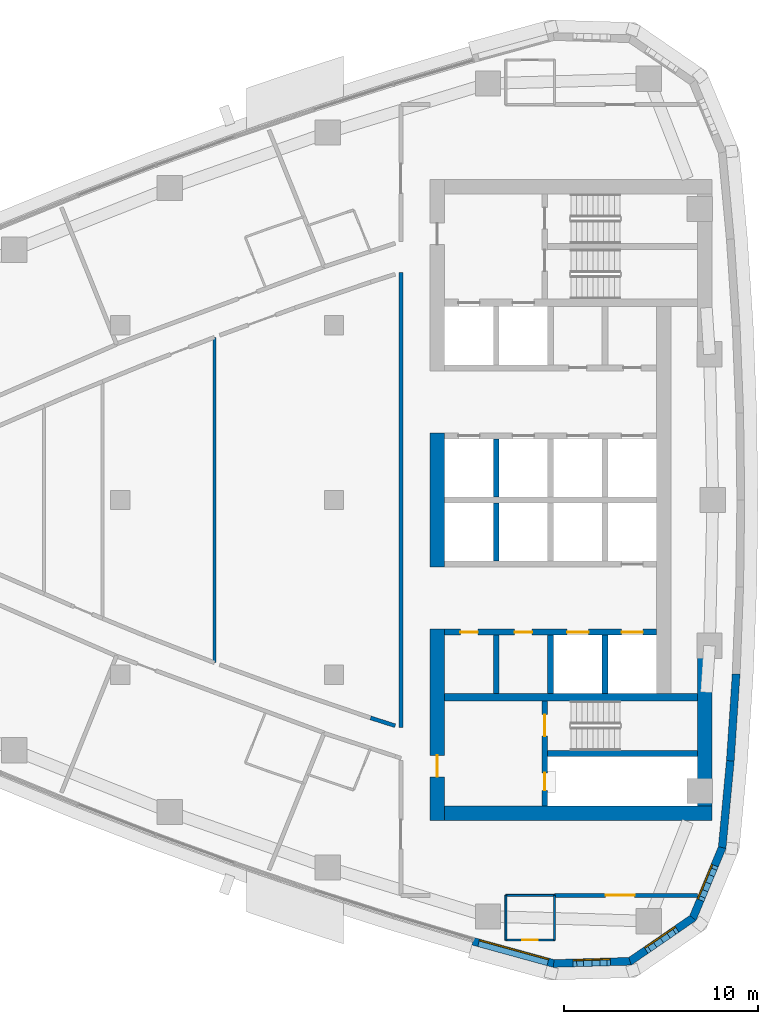
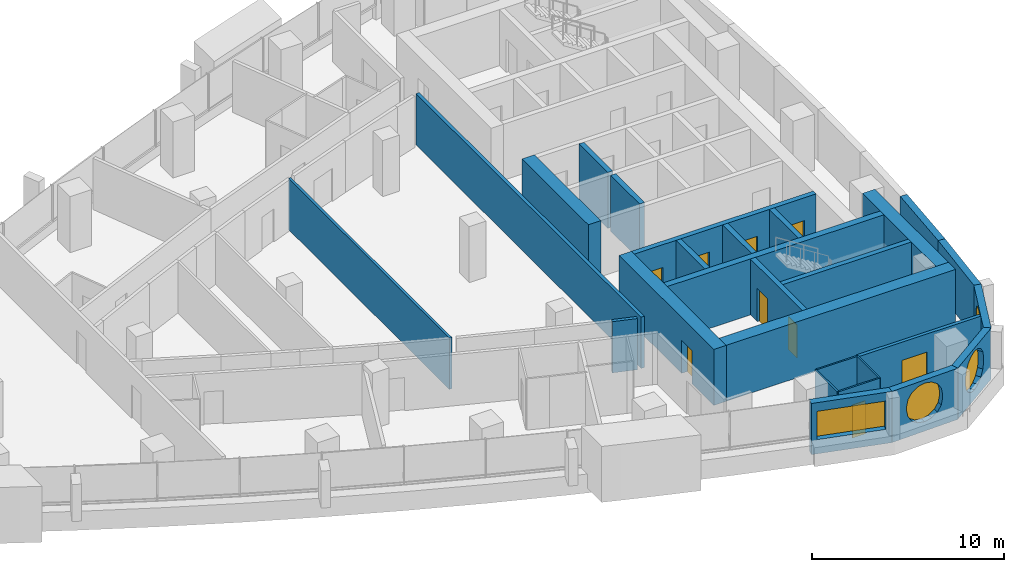
# One storey, part 10 of 16: 27 walls, 9 doors, 4 windows, 13 openings.
"""IFC4 building model written with IfcOpenShell, lengths in metres."""

import ifcopenshell
import ifcopenshell.guid

model = None  # the IFC model being written
_history = None  # IfcOwnerHistory: only IFC2X3 demands one
_inside = {}  # id of a spatial element -> (the spatial element, [elements in it])
_under = {}  # id of a project, library or spatial element -> (it, [spatial elements below it])
_declared = {}  # id of a project -> (the project, [libraries it declares])
_typed = {}  # id of a type object -> (the type object, [elements of that type])
_made_of = {}  # id of a material, layer set ... -> (it, [elements and type objects made of it])


def new_model(schema):
    """Start an empty IFC model of exactly this schema.

    Asked for "IFC4X3", IfcOpenShell would pick the latest addendum, in which some entities
    have other attributes; the version numbers below select the first issue.
    IFC2X3 requires an IfcOwnerHistory on every rooted entity: one is made here for all.
    """
    global model, _history
    if schema == "IFC4X3":
        model = ifcopenshell.file(schema_version=(4, 3, 0, 0))
    else:
        model = ifcopenshell.file(schema=schema)
    _inside.clear()
    _under.clear()
    _declared.clear()
    _typed.clear()
    _made_of.clear()
    _history = None
    if model.schema == "IFC2X3":
        org = make("IfcOrganization", Name="unknown")
        user = make(
            "IfcPersonAndOrganization",
            ThePerson=make("IfcPerson", FamilyName="unknown"),
            TheOrganization=org,
        )
        app = make(
            "IfcApplication",
            ApplicationDeveloper=org,
            Version="unknown",
            ApplicationFullName="unknown",
            ApplicationIdentifier="unknown",
        )
        _history = make(
            "IfcOwnerHistory",
            OwningUser=user,
            OwningApplication=app,
            ChangeAction="ADDED",
            CreationDate=0,
        )
    return model


def make(cls, **values):
    """One entity of the class cls with the attributes given. An attribute that is None is left unset."""
    return model.create_entity(
        cls, **{name: value for name, value in values.items() if value is not None}
    )


def rooted(cls, **values):
    """An entity with a GlobalId (a new one), such as an element, a storey or a relation."""
    return make(cls, GlobalId=ifcopenshell.guid.new(), OwnerHistory=_history, **values)


def si_unit(unit_type, name, prefix=None):
    """IfcSIUnit, for example si_unit("LENGTHUNIT", "METRE", prefix="MILLI")."""
    return make("IfcSIUnit", UnitType=unit_type, Prefix=prefix, Name=name)


def assignment(units):
    """IfcUnitAssignment: the units of a project."""
    return None if units is None else make("IfcUnitAssignment", Units=units)


def point(xyz):
    """IfcCartesianPoint."""
    return None if xyz is None else make("IfcCartesianPoint", Coordinates=xyz)


def direction(xyz):
    """IfcDirection."""
    return None if xyz is None else make("IfcDirection", DirectionRatios=xyz)


def frame(location, z_axis=None, x_axis=None):
    """IfcAxis2Placement3D, a coordinate frame: its origin and axes. An axis left out is left unset."""
    return make(
        "IfcAxis2Placement3D",
        Location=point(location),
        Axis=direction(z_axis),
        RefDirection=direction(x_axis),
    )


def frame_2d(location, x_axis=None):
    """IfcAxis2Placement2D, a coordinate frame in the plane: its origin and x axis."""
    return make(
        "IfcAxis2Placement2D", Location=point(location), RefDirection=direction(x_axis)
    )


def origin():
    """The frame at (0, 0, 0) with its axes left unset."""
    return frame((0.0, 0.0, 0.0))


def place(relative_to, where):
    """IfcLocalPlacement: puts the frame where relative to a parent placement (None: the world)."""
    return make(
        "IfcLocalPlacement", PlacementRelTo=relative_to, RelativePlacement=where
    )


def context(
    kind, dimensions, precision=None, world=None, true_north=None, identifier=None
):
    """IfcGeometricRepresentationContext, for example the 3D "Model" context."""
    return make(
        "IfcGeometricRepresentationContext",
        ContextIdentifier=identifier,
        ContextType=kind,
        CoordinateSpaceDimension=dimensions,
        Precision=precision,
        WorldCoordinateSystem=world,
        TrueNorth=true_north,
    )


def subcontext(parent, identifier, kind, view, scale=None):
    """IfcGeometricRepresentationSubContext, for example "Body" below "Model"."""
    return make(
        "IfcGeometricRepresentationSubContext",
        ContextIdentifier=identifier,
        ContextType=kind,
        ParentContext=parent,
        TargetScale=scale,
        TargetView=view,
    )


def project(units=None, contexts=None):
    """IfcProject with its units and contexts."""
    return rooted(
        "IfcProject",
        Name="project",
        RepresentationContexts=contexts,
        UnitsInContext=assignment(units),
    )


def spatial(cls, under=None, at=None, **own):
    """A site, building, storey or space (cls), placed at a placement, below another one or the project."""
    s = rooted(cls, ObjectPlacement=at, **own)
    if under is not None:
        _under.setdefault(under.id(), (under, []))[1].append(s)
    return s


def polyline(points):
    """IfcPolyline through the points."""
    return make("IfcPolyline", Points=[point(p) for p in points])


def profile(cls, at=None, kind="AREA", **sizes):
    """A parametric profile (cls). Its sizes go by their IFC names, for example OverallWidth=200.0."""
    return make(cls, ProfileType=kind, Position=at, **sizes)


def rectangle(**sizes):
    """IfcRectangleProfileDef."""
    return profile("IfcRectangleProfileDef", **sizes)


def outline(outer, holes=None, kind="AREA"):
    """IfcArbitraryClosedProfileDef: a profile drawn as a closed curve; with holes, ...WithVoids."""
    if holes is None:
        return make("IfcArbitraryClosedProfileDef", ProfileType=kind, OuterCurve=outer)
    return make(
        "IfcArbitraryProfileDefWithVoids",
        ProfileType=kind,
        OuterCurve=outer,
        InnerCurves=holes,
    )


def extrude(swept, where, along, depth):
    """IfcExtrudedAreaSolid: the profile swept, set in the frame where, extruded along a direction by depth."""
    return make(
        "IfcExtrudedAreaSolid",
        SweptArea=swept,
        Position=where,
        ExtrudedDirection=direction(along),
        Depth=depth,
    )


def shape(context_of_items, identifier, shape_type, items):
    """IfcShapeRepresentation: the items that make up one representation, for example the "Body"."""
    return make(
        "IfcShapeRepresentation",
        ContextOfItems=context_of_items,
        RepresentationIdentifier=identifier,
        RepresentationType=shape_type,
        Items=items,
    )


def material(Name=None, Category=None):
    """IfcMaterial."""
    return make("IfcMaterial", Name=Name, Category=Category)


def layer(
    of_material, thickness, ventilated=None, Name=None, Category=None, Priority=None
):
    """IfcMaterialLayer: one layer of a wall or slab, of a material (None: an air gap)."""
    return make(
        "IfcMaterialLayer",
        Material=of_material,
        LayerThickness=thickness,
        IsVentilated=ventilated,
        Name=Name,
        Category=Category,
        Priority=Priority,
    )


def layer_set(layers, Name=None):
    """IfcMaterialLayerSet."""
    return make("IfcMaterialLayerSet", MaterialLayers=layers, LayerSetName=Name)


def made_of(thing, what):
    """Note that an element or type object is made of a material, layer set ...; save() writes the relation."""
    if what is not None:
        _made_of.setdefault(what.id(), (what, []))[1].append(thing)
    return thing


def type_object(cls, material=None, **own):
    """A type object (cls), such as IfcWallType, which elements share."""
    return made_of(rooted(cls, **own), material)


def element(
    cls,
    number,
    at=None,
    inside=None,
    cuts=None,
    type_object=None,
    material=None,
    context=None,
    identifier="Body",
    shape_type=None,
    held_by="IfcProductDefinitionShape",
    body=None,
    shapes=None,
    **own,
):
    """One element of the class cls, such as IfcWall. Its Tag is "e" and its number.

    at: its placement. inside: the storey or other place that contains it. cuts: it is an
    opening in that element (IfcRelVoidsElement). A single representation is given by context,
    identifier, shape_type and body (its items); several are given by shapes. held_by: the class
    of the entity that holds the representations. save() writes the other relations.
    """
    e = rooted(cls, Tag="e%d" % number, ObjectPlacement=at, **own)
    if body is not None:
        shapes = [shape(context, identifier, shape_type, body)]
    if shapes is not None:
        e.Representation = make(held_by, Representations=shapes)
    if inside is not None:
        _inside.setdefault(inside.id(), (inside, []))[1].append(e)
    if cuts is not None:
        rooted(
            "IfcRelVoidsElement", RelatingBuildingElement=cuts, RelatedOpeningElement=e
        )
    if type_object is not None:
        _typed.setdefault(type_object.id(), (type_object, []))[1].append(e)
    return made_of(e, material)


def fill(opening, filler):
    """IfcRelFillsElement: the door or window that sits in an opening."""
    return rooted(
        "IfcRelFillsElement",
        RelatingOpeningElement=opening,
        RelatedBuildingElement=filler,
    )


def aggregate(whole, parts):
    """IfcRelAggregates: a whole, such as a stair, and the parts it consists of."""
    return rooted("IfcRelAggregates", RelatingObject=whole, RelatedObjects=parts)


def save(model, path):
    """Write the relations noted so far, then the file.

    IfcRelAggregates (storeys below a building ...), IfcRelContainedInSpatialStructure (elements
    in a storey), IfcRelDefinesByType, IfcRelAssociatesMaterial and IfcRelDeclares: one each for
    every whole, place, type object, material and project.
    """
    for whole, parts in _under.values():
        aggregate(whole, parts)
    for where, things in _inside.values():
        rooted(
            "IfcRelContainedInSpatialStructure",
            RelatedElements=things,
            RelatingStructure=where,
        )
    for kind, things in _typed.values():
        rooted("IfcRelDefinesByType", RelatedObjects=things, RelatingType=kind)
    for what, things in _made_of.values():
        rooted("IfcRelAssociatesMaterial", RelatedObjects=things, RelatingMaterial=what)
    for by, libraries in _declared.values():
        rooted("IfcRelDeclares", RelatingContext=by, RelatedDefinitions=libraries)
    model.write(path)


model = new_model("IFC4")

# Units and contexts
model_context = context("Model", 3, precision=1e-05, world=origin(), true_north=direction((0.0, 1.0)))
body_context = subcontext(model_context, "Body", "Model", "MODEL_VIEW")
ifc_project = project(units=[si_unit("LENGTHUNIT", "METRE"), si_unit("AREAUNIT", "SQUARE_METRE"), si_unit("VOLUMEUNIT", "CUBIC_METRE"), si_unit("PLANEANGLEUNIT", "RADIAN"), si_unit("MASSUNIT", "GRAM", prefix="KILO")], contexts=[model_context])

# Site, building, storey
site_placement = place(None, origin())
site = spatial("IfcSite", under=ifc_project, at=site_placement, CompositionType="ELEMENT")
building_placement = place(site_placement, origin())
building = spatial("IfcBuilding", under=site, at=building_placement, Name="Ostrand Prow Hotel Tower", CompositionType="ELEMENT")
storey_placement = place(building_placement, frame((0.0, 0.0, 189.699951171875)))
storey = spatial("IfcBuildingStorey", under=building, at=storey_placement, Name="L47", CompositionType="ELEMENT", Elevation=189.699951171875)

# Wall
ifc_material_1 = material(Name="Concrete C60/75", Category="concrete")
ifc_layer_1 = layer(ifc_material_1, 0.300048828125)
ifc_layer_set_1 = layer_set([ifc_layer_1], Name="Concrete C60/75")
wall_type_1 = type_object("IfcWallType", Name="Core wall 300 C60/75", PredefinedType="SHEAR", material=ifc_layer_set_1)
wall_1_placement = place(storey_placement, frame((53.35009765625, 0.14990234375, 0.0), z_axis=(0.0, 0.0, 1.0), x_axis=(0.0, 1.0, 0.0)))
element("IfcWall", 1, at=wall_1_placement, inside=storey, type_object=wall_type_1, Name="Core wall PW-R1-NB", PredefinedType="SHEAR", context=body_context, shape_type="SweptSolid", body=[
    extrude(rectangle(XDim=3.0, YDim=0.300048828125, at=frame_2d((1.5, 0.0))), origin(), (0.0, 0.0, 1.0), 3.550048828125),
])

# Wall, openings, doors
wall_2_placement = place(storey_placement, frame((50.699951171875, -6.800048828125, 0.0), z_axis=(0.0, 0.0, 1.0), x_axis=(1.0, 0.0, 0.0)))
wall_2 = element("IfcWall", 2, at=wall_2_placement, inside=storey, type_object=wall_type_1, Name="Core wall PW-L2-S", PredefinedType="SHEAR", context=body_context, shape_type="SweptSolid", body=[
    extrude(rectangle(XDim=10.900146484375, YDim=0.300048828125, at=frame_2d((5.4501953125, 0.0))), origin(), (0.0, 0.0, 1.0), 3.550048828125),
])
opening_1_placement = place(wall_2_placement, frame((6.300048828125, 0.0, 0.0)))
opening_1 = element("IfcOpeningElement", 3, at=opening_1_placement, cuts=wall_2, Name="Opening LD", PredefinedType="OPENING", context=body_context, shape_type="SweptSolid", body=[
    extrude(rectangle(XDim=1.10009765625, YDim=2.10009765625, at=frame_2d((0.550048828125, 1.050048828125))), frame((0.0, 0.159912109375, 0.0), z_axis=(0.0, -1.0, 0.0), x_axis=(1.0, 0.0, 0.0)), (0.0, 0.0, 1.0), 0.320068359375),
])
opening_2_placement = place(wall_2_placement, frame((9.10009765625, 0.0, 0.0)))
opening_2 = element("IfcOpeningElement", 4, at=opening_2_placement, cuts=wall_2, Name="Opening LD", PredefinedType="OPENING", context=body_context, shape_type="SweptSolid", body=[
    extrude(rectangle(XDim=1.10009765625, YDim=2.10009765625, at=frame_2d((0.550048828125, 1.050048828125))), frame((0.0, 0.159912109375, 0.0), z_axis=(0.0, -1.0, 0.0), x_axis=(1.0, 0.0, 0.0)), (0.0, 0.0, 1.0), 0.320068359375),
])
opening_3_placement = place(wall_2_placement, frame((0.800048828125, 0.0, 0.0)))
opening_3 = element("IfcOpeningElement", 5, at=opening_3_placement, cuts=wall_2, Name="Opening FD2", PredefinedType="OPENING", context=body_context, shape_type="SweptSolid", body=[
    extrude(rectangle(XDim=0.89990234375, YDim=2.10009765625, at=frame_2d((0.449951171875, 1.050048828125))), frame((0.0, 0.159912109375, 0.0), z_axis=(0.0, -1.0, 0.0), x_axis=(1.0, 0.0, 0.0)), (0.0, 0.0, 1.0), 0.320068359375),
])
opening_4_placement = place(wall_2_placement, frame((3.60009765625, 0.0, 0.0)))
opening_4 = element("IfcOpeningElement", 6, at=opening_4_placement, cuts=wall_2, Name="Opening FD2", PredefinedType="OPENING", context=body_context, shape_type="SweptSolid", body=[
    extrude(rectangle(XDim=0.89990234375, YDim=2.10009765625, at=frame_2d((0.449951171875, 1.050048828125))), frame((0.0, 0.159912109375, 0.0), z_axis=(0.0, -1.0, 0.0), x_axis=(1.0, 0.0, 0.0)), (0.0, 0.0, 1.0), 0.320068359375),
])
ifc_material_2 = material(Name="Steel fire door", Category="steel")
door_type_1 = type_object("IfcDoorType", Name="Fire door 900 EI120", OperationType="SINGLE_SWING_LEFT", PredefinedType="DOOR", material=ifc_material_2)
door_1_placement = place(opening_3_placement, origin())
door_1 = element("IfcDoor", 7, at=door_1_placement, inside=storey, type_object=door_type_1, Name="DOOR", OperationType="SINGLE_SWING_LEFT", OverallHeight=2.10009765625, OverallWidth=0.89990234375, PredefinedType="DOOR", context=body_context, shape_type="SweptSolid", body=[
    extrude(rectangle(XDim=0.89990234375, YDim=2.10009765625, at=frame_2d((0.449951171875, 1.050048828125))), frame((0.0, 0.02490234375, 0.0), z_axis=(0.0, -1.0, 0.0), x_axis=(1.0, 0.0, 0.0)), (0.0, 0.0, 1.0), 0.050048828125),
])
fill(opening_3, door_1)
door_2_placement = place(opening_4_placement, origin())
door_2 = element("IfcDoor", 8, at=door_2_placement, inside=storey, type_object=door_type_1, Name="DOOR", OperationType="SINGLE_SWING_LEFT", OverallHeight=2.10009765625, OverallWidth=0.89990234375, PredefinedType="DOOR", context=body_context, shape_type="SweptSolid", body=[
    extrude(rectangle(XDim=0.89990234375, YDim=2.10009765625, at=frame_2d((0.449951171875, 1.050048828125))), frame((0.0, 0.02490234375, 0.0), z_axis=(0.0, -1.0, 0.0), x_axis=(1.0, 0.0, 0.0)), (0.0, 0.0, 1.0), 0.050048828125),
])
fill(opening_4, door_2)
ifc_material_3 = material(Name="Stainless steel door", Category="steel")
door_type_2 = type_object("IfcDoorType", Name="Lift landing door 1100", OperationType="DOUBLE_DOOR_SLIDING", PredefinedType="DOOR", material=ifc_material_3)
door_3_placement = place(opening_1_placement, origin())
door_3 = element("IfcDoor", 9, at=door_3_placement, inside=storey, type_object=door_type_2, Name="LIFT LANDING DOOR", OperationType="DOUBLE_DOOR_SLIDING", OverallHeight=2.10009765625, OverallWidth=1.10009765625, PredefinedType="DOOR", context=body_context, shape_type="SweptSolid", body=[
    extrude(rectangle(XDim=1.10009765625, YDim=2.10009765625, at=frame_2d((0.550048828125, 1.050048828125))), frame((0.0, 0.02490234375, 0.0), z_axis=(0.0, -1.0, 0.0), x_axis=(1.0, 0.0, 0.0)), (0.0, 0.0, 1.0), 0.050048828125),
])
fill(opening_1, door_3)
door_4_placement = place(opening_2_placement, origin())
door_4 = element("IfcDoor", 10, at=door_4_placement, inside=storey, type_object=door_type_2, Name="LIFT LANDING DOOR", OperationType="DOUBLE_DOOR_SLIDING", OverallHeight=2.10009765625, OverallWidth=1.10009765625, PredefinedType="DOOR", context=body_context, shape_type="SweptSolid", body=[
    extrude(rectangle(XDim=1.10009765625, YDim=2.10009765625, at=frame_2d((0.550048828125, 1.050048828125))), frame((0.0, 0.02490234375, 0.0), z_axis=(0.0, -1.0, 0.0), x_axis=(1.0, 0.0, 0.0)), (0.0, 0.0, 1.0), 0.050048828125),
])
fill(opening_2, door_4)

# Walls
for number, where, z_axis, x_axis, name in (
    (11, (53.35009765625, -3.14990234375, 0.0), (0.0, 0.0, 1.0), (0.0, 1.0, 0.0), "Core wall PW-R1-SB"),
    (12, (53.35009765625, -9.949951171875, 0.0), (0.0, 0.0, 1.0), (0.0, 1.0, 0.0), "Core wall PW-R1-SA"),
    (13, (56.14990234375, -9.949951171875, 0.0), (0.0, 0.0, 1.0), (0.0, 1.0, 0.0), "Core wall PW-R2-SA"),
    (14, (58.949951171875, -9.949951171875, 0.0), (0.0, 0.0, 1.0), (0.0, 1.0, 0.0), "Core wall PW-R3-SA"),
):
    element("IfcWall", number, at=place(storey_placement, frame(where, z_axis=z_axis, x_axis=x_axis)), inside=storey, type_object=wall_type_1, Name=name, PredefinedType="SHEAR", context=body_context, shape_type="SweptSolid", body=[
        extrude(rectangle(XDim=3.0, YDim=0.300048828125, at=frame_2d((1.5, 0.0))), origin(), (0.0, 0.0, 1.0), 3.550048828125),
    ])

# Wall, openings, doors
wall_3_placement = place(storey_placement, frame((55.85009765625, -15.75, 0.0), z_axis=(0.0, 0.0, 1.0), x_axis=(0.0, 1.0, 0.0)))
wall_3 = element("IfcWall", 15, at=wall_3_placement, inside=storey, type_object=wall_type_1, Name="Core wall PW-VS", PredefinedType="SHEAR", context=body_context, shape_type="SweptSolid", body=[
    extrude(rectangle(XDim=5.39990234375, YDim=0.300048828125, at=frame_2d((2.699951171875, 0.0))), origin(), (0.0, 0.0, 1.0), 3.550048828125),
])
opening_5_placement = place(wall_3_placement, frame((3.60009765625, 0.0, 0.0)))
opening_5 = element("IfcOpeningElement", 16, at=opening_5_placement, cuts=wall_3, Name="Opening FD1", PredefinedType="OPENING", context=body_context, shape_type="SweptSolid", body=[
    extrude(rectangle(XDim=1.10009765625, YDim=2.10009765625, at=frame_2d((0.550048828125, 1.050048828125))), frame((0.0, 0.159912109375, 0.0), z_axis=(0.0, -1.0, 0.0), x_axis=(1.0, 0.0, 0.0)), (0.0, 0.0, 1.0), 0.320068359375),
])
opening_6_placement = place(wall_3_placement, frame((0.800048828125, 0.0, 0.0)))
opening_6 = element("IfcOpeningElement", 17, at=opening_6_placement, cuts=wall_3, Name="Opening FD2", PredefinedType="OPENING", context=body_context, shape_type="SweptSolid", body=[
    extrude(rectangle(XDim=0.89990234375, YDim=2.10009765625, at=frame_2d((0.449951171875, 1.050048828125))), frame((0.0, 0.159912109375, 0.0), z_axis=(0.0, -1.0, 0.0), x_axis=(1.0, 0.0, 0.0)), (0.0, 0.0, 1.0), 0.320068359375),
])
ifc_material_4 = material(Name="Steel fire door", Category="steel")
door_type_3 = type_object("IfcDoorType", Name="Fire door 1100 EI120", OperationType="SINGLE_SWING_RIGHT", PredefinedType="DOOR", material=ifc_material_4)
door_5_placement = place(opening_5_placement, origin())
door_5 = element("IfcDoor", 18, at=door_5_placement, inside=storey, type_object=door_type_3, Name="FIRE DOOR", OperationType="SINGLE_SWING_RIGHT", OverallHeight=2.10009765625, OverallWidth=1.10009765625, PredefinedType="DOOR", context=body_context, shape_type="SweptSolid", body=[
    extrude(rectangle(XDim=1.10009765625, YDim=2.10009765625, at=frame_2d((0.550048828125, 1.050048828125))), frame((0.0, 0.02490234375, 0.0), z_axis=(0.0, -1.0, 0.0), x_axis=(1.0, 0.0, 0.0)), (0.0, 0.0, 1.0), 0.050048828125),
])
fill(opening_5, door_5)
door_6_placement = place(opening_6_placement, origin())
door_6 = element("IfcDoor", 19, at=door_6_placement, inside=storey, type_object=door_type_1, Name="FIRE DOOR", OperationType="SINGLE_SWING_LEFT", OverallHeight=2.10009765625, OverallWidth=0.89990234375, PredefinedType="DOOR", context=body_context, shape_type="SweptSolid", body=[
    extrude(rectangle(XDim=0.89990234375, YDim=2.10009765625, at=frame_2d((0.449951171875, 1.050048828125))), frame((0.0, 0.02490234375, 0.0), z_axis=(0.0, -1.0, 0.0), x_axis=(1.0, 0.0, 0.0)), (0.0, 0.0, 1.0), 0.050048828125),
])
fill(opening_6, door_6)

# Walls
wall_4_placement = place(storey_placement, frame((56.0, -13.050048828125, 0.0), z_axis=(0.0, 0.0, 1.0), x_axis=(1.0, 0.0, 0.0)))
element("IfcWall", 20, at=wall_4_placement, inside=storey, type_object=wall_type_1, Name="Core wall PW-ST2R", PredefinedType="SHEAR", context=body_context, shape_type="SweptSolid", body=[
    extrude(rectangle(XDim=7.719970703125, YDim=0.300048828125, at=frame_2d((3.85986328125, 0.0))), origin(), (0.0, 0.0, 1.0), 3.550048828125),
])
ifc_material_5 = material(Name="Concrete C60/75", Category="concrete")
ifc_layer_2 = layer(ifc_material_5, 0.39990234375)
ifc_layer_set_2 = layer_set([ifc_layer_2], Name="Concrete C60/75")
wall_type_2 = type_object("IfcWallType", Name="Core wall 400 C60/75", PredefinedType="SHEAR", material=ifc_layer_set_2)
wall_5_placement = place(storey_placement, frame((50.699951171875, -10.14990234375, 0.0), z_axis=(0.0, 0.0, 1.0), x_axis=(1.0, 0.0, 0.0)))
element("IfcWall", 21, at=wall_5_placement, inside=storey, type_object=wall_type_2, Name="Core wall PW-BS", PredefinedType="SHEAR", context=body_context, shape_type="SweptSolid", body=[
    extrude(rectangle(XDim=13.02001953125, YDim=0.39990234375, at=frame_2d((6.510009765625, 0.0))), origin(), (0.0, 0.0, 1.0), 3.550048828125),
])
ifc_material_6 = material(Name="Concrete C60/75", Category="concrete")
ifc_layer_3 = layer(ifc_material_6, 0.75)
ifc_layer_set_3 = layer_set([ifc_layer_3], Name="Concrete C60/75")
wall_type_3 = type_object("IfcWallType", Name="Core wall 750 C60/75", PredefinedType="SHEAR", material=ifc_layer_set_3)
wall_6_placement = place(storey_placement, frame((50.324951171875, -3.449951171875, 0.0), z_axis=(0.0, 0.0, 1.0), x_axis=(0.0, 1.0, 0.0)))
element("IfcWall", 22, at=wall_6_placement, inside=storey, type_object=wall_type_3, Name="Core wall CW-W-C", PredefinedType="SHEAR", context=body_context, shape_type="SweptSolid", body=[
    extrude(rectangle(XDim=6.89990234375, YDim=0.75, at=frame_2d((3.449951171875, 0.0))), origin(), (0.0, 0.0, 1.0), 3.550048828125),
])

# Wall, opening, door
wall_7_placement = place(storey_placement, frame((50.324951171875, -16.5, 0.0), z_axis=(0.0, 0.0, 1.0), x_axis=(0.0, 1.0, 0.0)))
wall_7 = element("IfcWall", 23, at=wall_7_placement, inside=storey, type_object=wall_type_3, Name="Core wall CW-W-S", PredefinedType="SHEAR", context=body_context, shape_type="SweptSolid", body=[
    extrude(rectangle(XDim=9.85009765625, YDim=0.75, at=frame_2d((4.925048828125, 0.0))), origin(), (0.0, 0.0, 1.0), 3.550048828125),
])
opening_7_placement = place(wall_7_placement, frame((2.25, 0.0, 0.0)))
opening_7 = element("IfcOpeningElement", 24, at=opening_7_placement, cuts=wall_7, Name="Opening FD1", PredefinedType="OPENING", context=body_context, shape_type="SweptSolid", body=[
    extrude(rectangle(XDim=1.10009765625, YDim=2.10009765625, at=frame_2d((0.550048828125, 1.050048828125))), frame((0.0, 0.385009765625, 0.0), z_axis=(0.0, -1.0, 0.0), x_axis=(1.0, 0.0, 0.0)), (0.0, 0.0, 1.0), 0.77001953125),
])
door_7_placement = place(opening_7_placement, origin())
door_7 = element("IfcDoor", 25, at=door_7_placement, inside=storey, type_object=door_type_3, Name="FIRE DOOR", OperationType="SINGLE_SWING_RIGHT", OverallHeight=2.10009765625, OverallWidth=1.10009765625, PredefinedType="DOOR", context=body_context, shape_type="SweptSolid", body=[
    extrude(rectangle(XDim=1.10009765625, YDim=2.10009765625, at=frame_2d((0.550048828125, 1.050048828125))), frame((0.0, 0.02490234375, 0.0), z_axis=(0.0, -1.0, 0.0), x_axis=(1.0, 0.0, 0.0)), (0.0, 0.0, 1.0), 0.050048828125),
])
fill(opening_7, door_7)

# Walls
wall_8_placement = place(storey_placement, frame((50.699951171875, -16.125, 0.0), z_axis=(0.0, 0.0, 1.0), x_axis=(1.0, 0.0, 0.0)))
element("IfcWall", 26, at=wall_8_placement, inside=storey, type_object=wall_type_3, Name="Core wall CW-S", PredefinedType="SHEAR", context=body_context, shape_type="SweptSolid", body=[
    extrude(rectangle(XDim=13.77001953125, YDim=0.75, at=frame_2d((6.885009765625, 0.0))), origin(), (0.0, 0.0, 1.0), 3.550048828125),
])
wall_9_placement = place(storey_placement, frame((64.094970703125, -15.75, 0.0), z_axis=(0.0, 0.0, 1.0), x_axis=(0.0, 1.0, 0.0)))
element("IfcWall", 27, at=wall_9_placement, inside=storey, type_object=wall_type_3, Name="Core wall CW-E-S", PredefinedType="SHEAR", context=body_context, shape_type="SweptSolid", body=[
    extrude(rectangle(XDim=7.65087890625, YDim=0.75, at=frame_2d((3.825439453125, 0.0))), origin(), (0.0, 0.0, 1.0), 3.550048828125),
])

# Wall, opening, door
ifc_material_7 = material(Name="Plasterboard partition")
ifc_layer_4 = layer(ifc_material_7, 0.10009765625)
ifc_layer_set_4 = layer_set([ifc_layer_4], Name="Plasterboard partition")
wall_type_4 = type_object("IfcWallType", Name="Partition 100 bathroom wall", PredefinedType="PARTITIONING", material=ifc_layer_set_4)
wall_10_placement = place(storey_placement, frame((56.35009765625, -22.64990234375, 0.0), z_axis=(0.0, 0.0, 1.0), x_axis=(-1.0, 0.0, 0.0)))
wall_10 = element("IfcWall", 28, at=wall_10_placement, inside=storey, type_object=wall_type_4, Name="BATHROOM WALL", PredefinedType="PARTITIONING", context=body_context, shape_type="SweptSolid", body=[
    extrude(rectangle(XDim=2.5, YDim=0.10009765625, at=frame_2d((1.25, 0.0))), origin(), (0.0, 0.0, 1.0), 3.25),
])
opening_8_placement = place(wall_10_placement, frame((0.85009765625, 0.0, 0.0)))
opening_8 = element("IfcOpeningElement", 29, at=opening_8_placement, cuts=wall_10, Name="Opening D2", PredefinedType="OPENING", context=body_context, shape_type="SweptSolid", body=[
    extrude(rectangle(XDim=0.800048828125, YDim=2.10009765625, at=frame_2d((0.39990234375, 1.050048828125))), frame((0.0, 0.06005859375, 0.0), z_axis=(0.0, -1.0, 0.0), x_axis=(1.0, 0.0, 0.0)), (0.0, 0.0, 1.0), 0.1201171875),
])
ifc_material_8 = material(Name="Timber door leaf", Category="wood")
door_type_4 = type_object("IfcDoorType", Name="Bathroom door 800", OperationType="SINGLE_SWING_LEFT", PredefinedType="DOOR", material=ifc_material_8)
door_8_placement = place(opening_8_placement, origin())
door_8 = element("IfcDoor", 30, at=door_8_placement, inside=storey, type_object=door_type_4, Name="DOOR", OperationType="SINGLE_SWING_LEFT", OverallHeight=2.10009765625, OverallWidth=0.800048828125, PredefinedType="DOOR", context=body_context, shape_type="SweptSolid", body=[
    extrude(rectangle(XDim=0.800048828125, YDim=2.10009765625, at=frame_2d((0.39990234375, 1.050048828125))), frame((0.0, 0.02490234375, 0.0), z_axis=(0.0, -1.0, 0.0), x_axis=(1.0, 0.0, 0.0)), (0.0, 0.0, 1.0), 0.050048828125),
])
fill(opening_8, door_8)

# Walls
for number, where, z_axis, x_axis, name in (
    (31, (53.85009765625, -22.64990234375, 0.0), (0.0, 0.0, 1.0), (0.0, 1.0, 0.0), "BATHROOM WALL"),
    (32, (56.35009765625, -20.35009765625, 0.0), (0.0, 0.0, 1.0), (0.0, -1.0, 0.0), "BATHROOM WALL"),
):
    element("IfcWall", number, at=place(storey_placement, frame(where, z_axis=z_axis, x_axis=x_axis)), inside=storey, type_object=wall_type_4, Name=name, PredefinedType="PARTITIONING", context=body_context, shape_type="SweptSolid", body=[
        extrude(rectangle(XDim=2.2998046875, YDim=0.10009765625, at=frame_2d((1.14990234375, 0.0))), origin(), (0.0, 0.0, 1.0), 3.25),
    ])
wall_11_placement = place(storey_placement, frame((53.85009765625, -20.35498046875, 0.0), z_axis=(0.0, 0.0, 1.0), x_axis=(1.0, 0.0, 0.0)))
element("IfcWall", 33, at=wall_11_placement, inside=storey, type_object=wall_type_4, Name="BATHROOM WALL", PredefinedType="PARTITIONING", context=body_context, shape_type="SweptSolid", body=[
    extrude(rectangle(XDim=2.5, YDim=0.10009765625, at=frame_2d((1.25, 0.0))), origin(), (0.0, 0.0, 1.0), 3.25),
])
ifc_material_9 = material(Name="Plasterboard partition")
ifc_layer_5 = layer(ifc_material_9, 0.14990234375)
ifc_layer_set_5 = layer_set([ifc_layer_5], Name="Plasterboard partition")
wall_type_5 = type_object("IfcWallType", Name="Partition 150 room partition", PredefinedType="PARTITIONING", material=ifc_layer_set_5)
wall_12_placement = place(storey_placement, frame((38.843017578125, -8.3740234375, 0.0), z_axis=(0.0, 0.0, 1.0), x_axis=(0.0, 1.0, 0.0)))
element("IfcWall", 34, at=wall_12_placement, inside=storey, type_object=wall_type_5, Name="ROOM PARTITION", PredefinedType="PARTITIONING", context=body_context, shape_type="SweptSolid", body=[
    extrude(rectangle(XDim=16.748046875, YDim=0.14990234375, at=frame_2d((8.3740234375, 0.0))), origin(), (0.0, 0.0, 1.0), 3.25),
])

# Wall, opening, door
ifc_material_10 = material(Name="Plasterboard partition")
ifc_layer_6 = layer(ifc_material_10, 0.199951171875)
ifc_layer_set_6 = layer_set([ifc_layer_6], Name="Plasterboard partition")
wall_type_6 = type_object("IfcWallType", Name="Partition 200 corridor wall", PredefinedType="PARTITIONING", material=ifc_layer_set_6)
wall_13_placement = place(storey_placement, frame((56.35498046875, -20.35498046875, 0.0), z_axis=(0.0, 0.0, 1.0), x_axis=(1.0, 0.0, 0.0)))
wall_13 = element("IfcWall", 35, at=wall_13_placement, inside=storey, type_object=wall_type_6, Name="CORRIDOR WALL", PredefinedType="PARTITIONING", context=body_context, shape_type="SweptSolid", body=[
    extrude(rectangle(XDim=7.3544921875, YDim=0.199951171875, at=frame_2d((3.67724609375, 0.0))), origin(), (0.0, 0.0, 1.0), 3.25),
])
opening_9_placement = place(wall_13_placement, frame((2.623779296875, 0.0, 0.0)))
opening_9 = element("IfcOpeningElement", 36, at=opening_9_placement, cuts=wall_13, Name="Opening D15", PredefinedType="OPENING", context=body_context, shape_type="SweptSolid", body=[
    extrude(rectangle(XDim=1.5, YDim=2.10009765625, at=frame_2d((0.75, 1.050048828125))), frame((0.0, 0.10986328125, 0.0), z_axis=(0.0, -1.0, 0.0), x_axis=(1.0, 0.0, 0.0)), (0.0, 0.0, 1.0), 0.219970703125),
])
ifc_material_11 = material(Name="Timber door leaf", Category="wood")
door_type_5 = type_object("IfcDoorType", Name="Double door 1500", OperationType="DOUBLE_DOOR_SINGLE_SWING", PredefinedType="DOOR", material=ifc_material_11)
door_9_placement = place(opening_9_placement, origin())
door_9 = element("IfcDoor", 37, at=door_9_placement, inside=storey, type_object=door_type_5, Name="DOOR", OperationType="DOUBLE_DOOR_SINGLE_SWING", OverallHeight=2.10009765625, OverallWidth=1.5, PredefinedType="DOOR", context=body_context, shape_type="SweptSolid", body=[
    extrude(rectangle(XDim=1.5, YDim=2.10009765625, at=frame_2d((0.75, 1.050048828125))), frame((0.0, 0.02490234375, 0.0), z_axis=(0.0, -1.0, 0.0), x_axis=(1.0, 0.0, 0.0)), (0.0, 0.0, 1.0), 0.050048828125),
])
fill(opening_9, door_9)

# Walls
wall_14_placement = place(storey_placement, frame((48.14990234375, -11.62109375, 0.0), z_axis=(0.0, 0.0, 1.0), x_axis=(-0.952761948983, 0.303718074157, 0.0)))
element("IfcWall", 38, at=wall_14_placement, inside=storey, type_object=wall_type_6, Name="CORRIDOR WALL", PredefinedType="PARTITIONING", context=body_context, shape_type="SweptSolid", body=[
    extrude(rectangle(XDim=1.33203125, YDim=0.199951171875, at=frame_2d((0.666015625, 0.0))), origin(), (0.0, 0.0, 1.0), 3.25),
])
wall_15_placement = place(storey_placement, frame((48.445068359375, 11.7099609375, 0.0), z_axis=(0.0, 0.0, 1.0), x_axis=(0.0, -1.0, 0.0)))
element("IfcWall", 39, at=wall_15_placement, inside=storey, type_object=wall_type_6, Name="CORRIDOR WALL", PredefinedType="PARTITIONING", context=body_context, shape_type="SweptSolid", body=[
    extrude(rectangle(XDim=23.419921875, YDim=0.199951171875, at=frame_2d((11.7099609375, 0.0))), origin(), (0.0, 0.0, 1.0), 3.25),
])

# Wall, opening, window
ifc_material_12 = material(Name="Precast concrete C40/50", Category="concrete")
ifc_layer_7 = layer(ifc_material_12, 0.39990234375)
ifc_layer_set_7 = layer_set([ifc_layer_7], Name="Precast concrete C40/50")
wall_type_7 = type_object("IfcWallType", Name="Stone-faced precast wall 400 mm", PredefinedType="NOTDEFINED", material=ifc_layer_set_7)
wall_16_placement = place(storey_placement, frame((52.15478515625, -22.7158203125, 0.0), z_axis=(0.0, 0.0, 1.0), x_axis=(0.964205755089, -0.265155165617, 0.0)))
wall_16 = element("IfcWall", 40, at=wall_16_placement, inside=storey, type_object=wall_type_7, Name="Stone-faced wall back 1", PredefinedType="NOTDEFINED", context=body_context, shape_type="SweptSolid", body=[
    extrude(outline(polyline([(0.0, -0.199951171875), (4.3369140625, -0.199951171875), (4.27734375, 0.199951171875), (0.0, 0.199951171875), (0.0, -0.199951171875)])), origin(), (0.0, 0.0, 1.0), 3.25),
])
opening_10_placement = place(wall_16_placement, frame((0.303466796875, 0.0, 0.89990234375)))
opening_10 = element("IfcOpeningElement", 41, at=opening_10_placement, cuts=wall_16, Name="Opening WS3-37", PredefinedType="OPENING", context=body_context, shape_type="SweptSolid", body=[
    extrude(rectangle(XDim=3.699951171875, YDim=1.800048828125, at=frame_2d((1.85009765625, 0.89990234375))), frame((0.0, 0.2099609375, 0.0), z_axis=(0.0, -1.0, 0.0), x_axis=(1.0, 0.0, 0.0)), (0.0, 0.0, 1.0), 0.419921875),
])
ifc_material_13 = material(Name="Insulated glass in bronze frame", Category="glass")
window_type_1 = type_object("IfcWindowType", Name="Strip window 3700x1800", PartitioningType="SINGLE_PANEL", PredefinedType="WINDOW", material=ifc_material_13)
window_1_placement = place(opening_10_placement, origin())
window_1 = element("IfcWindow", 42, at=window_1_placement, inside=storey, type_object=window_type_1, Name="Window back 1.1", OverallHeight=1.800048828125, OverallWidth=3.699951171875, PartitioningType="SINGLE_PANEL", PredefinedType="WINDOW", context=body_context, shape_type="SweptSolid", body=[
    extrude(rectangle(XDim=3.699951171875, YDim=1.800048828125, at=frame_2d((1.85009765625, 0.89990234375))), frame((0.0, 0.169921875, 0.0), z_axis=(0.0, -1.0, 0.0), x_axis=(1.0, 0.0, 0.0)), (0.0, 0.0, 1.0), 0.06005859375),
])
fill(opening_10, window_1)

wall_17_placement = place(storey_placement, frame((56.307861328125, -23.85791015625, 0.0), z_axis=(0.0, 0.0, 1.0), x_axis=(0.999587920197, 0.028705222472, 0.0)))
wall_17 = element("IfcWall", 43, at=wall_17_placement, inside=storey, type_object=wall_type_7, Name="Stone-faced wall back 2", PredefinedType="NOTDEFINED", context=body_context, shape_type="SweptSolid", body=[
    extrude(outline(polyline([(-0.02978515625, -0.199951171875), (3.988525390625, -0.199951171875), (3.870361328125, 0.199951171875), (0.02978515625, 0.199951171875), (-0.02978515625, -0.199951171875)])), origin(), (0.0, 0.0, 1.0), 3.25),
])
opening_11_placement = place(wall_17_placement, frame((0.864501953125, 0.0, 0.60009765625)))
opening_11 = element("IfcOpeningElement", 44, at=opening_11_placement, cuts=wall_17, Name="Opening WP1", PredefinedType="OPENING", context=body_context, shape_type="SweptSolid", body=[
    extrude(outline(polyline([(0.0, 1.35009765625), (0.083740234375, 1.77099609375), (0.322265625, 2.127685546875), (0.678955078125, 2.3662109375), (1.10009765625, 2.449951171875), (1.52099609375, 2.3662109375), (1.877685546875, 2.127685546875), (2.1162109375, 1.77099609375), (2.199951171875, 1.35009765625), (2.199951171875, 1.10009765625), (2.1162109375, 0.678955078125), (1.877685546875, 0.322265625), (1.52099609375, 0.083740234375), (1.10009765625, 0.0), (0.678955078125, 0.083740234375), (0.322265625, 0.322265625), (0.083740234375, 0.678955078125), (0.0, 1.099853515625), (0.0, 1.35009765625)])), frame((0.0, 0.2099609375, 0.0), z_axis=(0.0, -1.0, 0.0), x_axis=(1.0, 0.0, 0.0)), (0.0, 0.0, 1.0), 0.419921875),
])
ifc_material_14 = material(Name="Insulated glass in bronze frame", Category="glass")
window_type_2 = type_object("IfcWindowType", Name="Round-ended prow window 2200x2450", PartitioningType="SINGLE_PANEL", PredefinedType="WINDOW", material=ifc_material_14)
window_2_placement = place(opening_11_placement, origin())
window_2 = element("IfcWindow", 45, at=window_2_placement, inside=storey, type_object=window_type_2, Name="Window back 2.1", OverallHeight=2.449951171875, OverallWidth=2.199951171875, PartitioningType="SINGLE_PANEL", PredefinedType="WINDOW", context=body_context, shape_type="SweptSolid", body=[
    extrude(outline(polyline([(0.0, 1.35009765625), (0.083740234375, 1.77099609375), (0.322265625, 2.127685546875), (0.678955078125, 2.3662109375), (1.10009765625, 2.449951171875), (1.52099609375, 2.3662109375), (1.877685546875, 2.127685546875), (2.1162109375, 1.77099609375), (2.199951171875, 1.35009765625), (2.199951171875, 1.10009765625), (2.1162109375, 0.678955078125), (1.877685546875, 0.322265625), (1.52099609375, 0.083740234375), (1.10009765625, 0.0), (0.678955078125, 0.083740234375), (0.322265625, 0.322265625), (0.083740234375, 0.678955078125), (0.0, 1.099853515625), (0.0, 1.35009765625)])), frame((0.0, 0.169921875, 0.0), z_axis=(0.0, -1.0, 0.0), x_axis=(1.0, 0.0, 0.0)), (0.0, 0.0, 1.0), 0.06005859375),
])
fill(opening_11, window_2)

wall_18_placement = place(storey_placement, frame((60.235595703125, -23.7451171875, 0.0), z_axis=(0.0, 0.0, 1.0), x_axis=(0.823806162588, 0.566871596115, 0.0)))
wall_18 = element("IfcWall", 46, at=wall_18_placement, inside=storey, type_object=wall_type_7, Name="Stone-faced wall back 3", PredefinedType="NOTDEFINED", context=body_context, shape_type="SweptSolid", body=[
    extrude(outline(polyline([(-0.05908203125, -0.199951171875), (3.98828125, -0.199951171875), (3.8701171875, 0.199951171875), (0.05908203125, 0.199951171875), (-0.05908203125, -0.199951171875)])), origin(), (0.0, 0.0, 1.0), 3.25),
])
opening_12_placement = place(wall_18_placement, frame((0.864501953125, 0.0, 0.60009765625)))
opening_12 = element("IfcOpeningElement", 47, at=opening_12_placement, cuts=wall_18, Name="Opening WP1", PredefinedType="OPENING", context=body_context, shape_type="SweptSolid", body=[
    extrude(outline(polyline([(0.0, 1.35009765625), (0.083740234375, 1.77099609375), (0.322265625, 2.127685546875), (0.678955078125, 2.3662109375), (1.10009765625, 2.449951171875), (1.52099609375, 2.3662109375), (1.877685546875, 2.127685546875), (2.1162109375, 1.77099609375), (2.199951171875, 1.35009765625), (2.199951171875, 1.10009765625), (2.1162109375, 0.678955078125), (1.877685546875, 0.322265625), (1.52099609375, 0.083740234375), (1.10009765625, 0.0), (0.678955078125, 0.083740234375), (0.322265625, 0.322265625), (0.083740234375, 0.678955078125), (0.0, 1.099853515625), (0.0, 1.35009765625)])), frame((0.0, 0.2099609375, 0.0), z_axis=(0.0, -1.0, 0.0), x_axis=(1.0, 0.0, 0.0)), (0.0, 0.0, 1.0), 0.419921875),
])
window_3_placement = place(opening_12_placement, origin())
window_3 = element("IfcWindow", 48, at=window_3_placement, inside=storey, type_object=window_type_2, Name="Window back 3.1", OverallHeight=2.449951171875, OverallWidth=2.199951171875, PartitioningType="SINGLE_PANEL", PredefinedType="WINDOW", context=body_context, shape_type="SweptSolid", body=[
    extrude(outline(polyline([(0.0, 1.35009765625), (0.083740234375, 1.77099609375), (0.322265625, 2.127685546875), (0.678955078125, 2.3662109375), (1.10009765625, 2.449951171875), (1.52099609375, 2.3662109375), (1.877685546875, 2.127685546875), (2.1162109375, 1.77099609375), (2.199951171875, 1.35009765625), (2.199951171875, 1.10009765625), (2.1162109375, 0.678955078125), (1.877685546875, 0.322265625), (1.52099609375, 0.083740234375), (1.10009765625, 0.0), (0.678955078125, 0.083740234375), (0.322265625, 0.322265625), (0.083740234375, 0.678955078125), (0.0, 1.099853515625), (0.0, 1.35009765625)])), frame((0.0, 0.169921875, 0.0), z_axis=(0.0, -1.0, 0.0), x_axis=(1.0, 0.0, 0.0)), (0.0, 0.0, 1.0), 0.06005859375),
])
fill(opening_12, window_3)

wall_19_placement = place(storey_placement, frame((63.472412109375, -21.517822265625, 0.0), z_axis=(0.0, 0.0, 1.0), x_axis=(0.383997619794, 0.923334082547, 0.0)))
wall_19 = element("IfcWall", 49, at=wall_19_placement, inside=storey, type_object=wall_type_7, Name="Stone-faced wall back 4", PredefinedType="NOTDEFINED", context=body_context, shape_type="SweptSolid", body=[
    extrude(outline(polyline([(-0.05908203125, -0.199951171875), (3.95947265625, -0.199951171875), (3.89892578125, 0.199951171875), (0.05908203125, 0.199951171875), (-0.05908203125, -0.199951171875)])), origin(), (0.0, 0.0, 1.0), 3.25),
])
opening_13_placement = place(wall_19_placement, frame((0.864501953125, 0.0, 0.60009765625)))
opening_13 = element("IfcOpeningElement", 50, at=opening_13_placement, cuts=wall_19, Name="Opening WP1", PredefinedType="OPENING", context=body_context, shape_type="SweptSolid", body=[
    extrude(outline(polyline([(0.0, 1.35009765625), (0.083740234375, 1.77099609375), (0.322265625, 2.127685546875), (0.678955078125, 2.3662109375), (1.10009765625, 2.449951171875), (1.52099609375, 2.3662109375), (1.877685546875, 2.127685546875), (2.1162109375, 1.77099609375), (2.199951171875, 1.35009765625), (2.199951171875, 1.10009765625), (2.1162109375, 0.678955078125), (1.877685546875, 0.322265625), (1.52099609375, 0.083740234375), (1.10009765625, 0.0), (0.678955078125, 0.083740234375), (0.322265625, 0.322265625), (0.083740234375, 0.678955078125), (0.0, 1.099853515625), (0.0, 1.35009765625)])), frame((0.0, 0.2099609375, 0.0), z_axis=(0.0, -1.0, 0.0), x_axis=(1.0, 0.0, 0.0)), (0.0, 0.0, 1.0), 0.419921875),
])
window_4_placement = place(opening_13_placement, origin())
window_4 = element("IfcWindow", 51, at=window_4_placement, inside=storey, type_object=window_type_2, Name="Window back 4.1", OverallHeight=2.449951171875, OverallWidth=2.199951171875, PartitioningType="SINGLE_PANEL", PredefinedType="WINDOW", context=body_context, shape_type="SweptSolid", body=[
    extrude(outline(polyline([(0.0, 1.35009765625), (0.083740234375, 1.77099609375), (0.322265625, 2.127685546875), (0.678955078125, 2.3662109375), (1.10009765625, 2.449951171875), (1.52099609375, 2.3662109375), (1.877685546875, 2.127685546875), (2.1162109375, 1.77099609375), (2.199951171875, 1.35009765625), (2.199951171875, 1.10009765625), (2.1162109375, 0.678955078125), (1.877685546875, 0.322265625), (1.52099609375, 0.083740234375), (1.10009765625, 0.0), (0.678955078125, 0.083740234375), (0.322265625, 0.322265625), (0.083740234375, 0.678955078125), (0.0, 1.099853515625), (0.0, 1.35009765625)])), frame((0.0, 0.169921875, 0.0), z_axis=(0.0, -1.0, 0.0), x_axis=(1.0, 0.0, 0.0)), (0.0, 0.0, 1.0), 0.06005859375),
])
fill(opening_13, window_4)

# Walls
wall_20_placement = place(storey_placement, frame((64.981201171875, -17.889892578125, 0.0), z_axis=(0.0, 0.0, 1.0), x_axis=(0.093605694738, 0.995609348044, 0.0)))
element("IfcWall", 52, at=wall_20_placement, inside=storey, type_object=wall_type_7, Name="Stone-faced wall back 5", PredefinedType="NOTDEFINED", context=body_context, shape_type="SweptSolid", body=[
    extrude(outline(polyline([(-0.0302734375, -0.199951171875), (4.483642578125, -0.199951171875), (4.478271484375, 0.199951171875), (0.0302734375, 0.199951171875), (-0.0302734375, -0.199951171875)])), origin(), (0.0, 0.0, 1.0), 3.25),
])
wall_21_placement = place(storey_placement, frame((65.400634765625, -13.4287109375, 0.0), z_axis=(0.0, 0.0, 1.0), x_axis=(0.066905935948, 0.997759287471, 0.0)))
element("IfcWall", 53, at=wall_21_placement, inside=storey, type_object=wall_type_7, Name="Stone-faced wall back 6", PredefinedType="NOTDEFINED", context=body_context, shape_type="SweptSolid", body=[
    extrude(outline(polyline([(-0.002685546875, -0.199951171875), (4.483642578125, -0.199951171875), (4.478271484375, 0.199951171875), (0.002685546875, 0.199951171875), (-0.002685546875, -0.199951171875)])), origin(), (0.0, 0.0, 1.0), 3.25),
])

save(model, "model.ifc")
